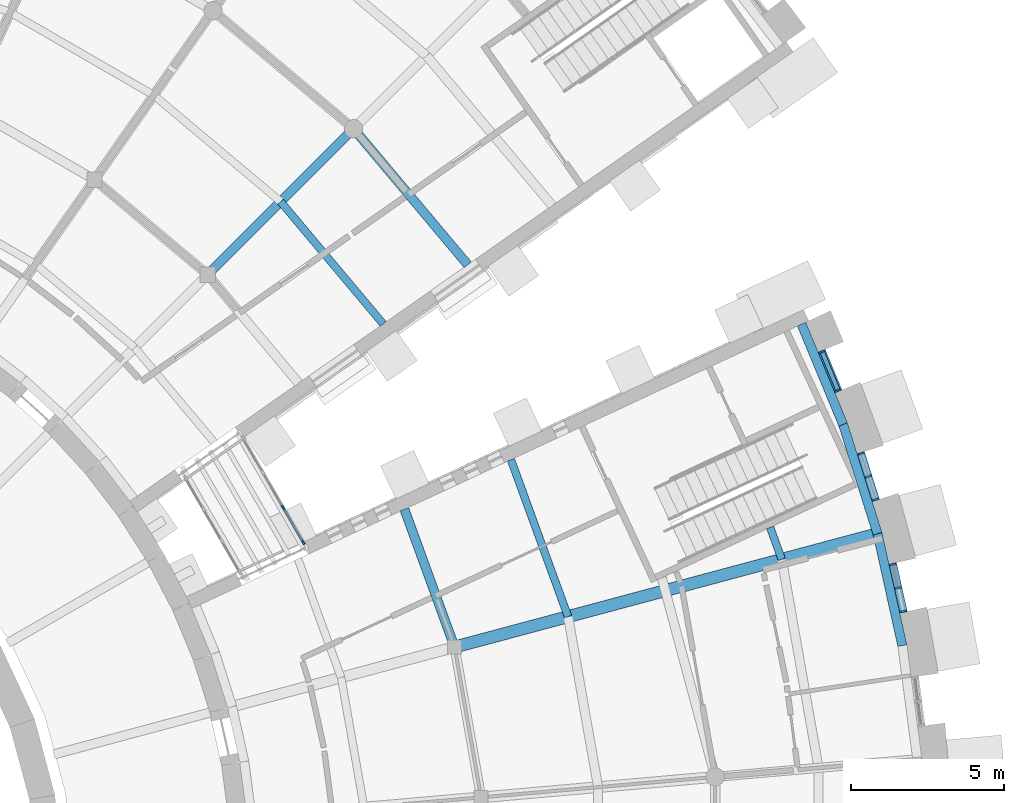
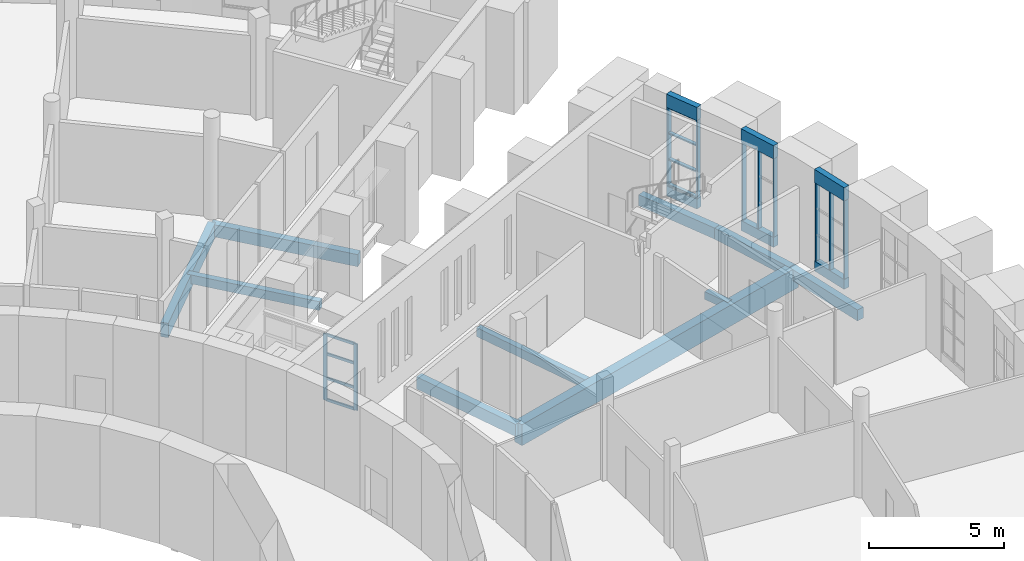
# One storey, part 17 of 66: 18 members, 16 beams, 4 elements without a shape of their own.
"""IFC4 building model written with IfcOpenShell, lengths in metres."""

import ifcopenshell
import ifcopenshell.guid

model = None  # the IFC model being written
_history = None  # IfcOwnerHistory: only IFC2X3 demands one
_inside = {}  # id of a spatial element -> (the spatial element, [elements in it])
_under = {}  # id of a project, library or spatial element -> (it, [spatial elements below it])
_declared = {}  # id of a project -> (the project, [libraries it declares])
_typed = {}  # id of a type object -> (the type object, [elements of that type])
_made_of = {}  # id of a material, layer set ... -> (it, [elements and type objects made of it])


def new_model(schema):
    """Start an empty IFC model of exactly this schema.

    Asked for "IFC4X3", IfcOpenShell would pick the latest addendum, in which some entities
    have other attributes; the version numbers below select the first issue.
    IFC2X3 requires an IfcOwnerHistory on every rooted entity: one is made here for all.
    """
    global model, _history
    if schema == "IFC4X3":
        model = ifcopenshell.file(schema_version=(4, 3, 0, 0))
    else:
        model = ifcopenshell.file(schema=schema)
    _inside.clear()
    _under.clear()
    _declared.clear()
    _typed.clear()
    _made_of.clear()
    _history = None
    if model.schema == "IFC2X3":
        org = make("IfcOrganization", Name="unknown")
        user = make(
            "IfcPersonAndOrganization",
            ThePerson=make("IfcPerson", FamilyName="unknown"),
            TheOrganization=org,
        )
        app = make(
            "IfcApplication",
            ApplicationDeveloper=org,
            Version="unknown",
            ApplicationFullName="unknown",
            ApplicationIdentifier="unknown",
        )
        _history = make(
            "IfcOwnerHistory",
            OwningUser=user,
            OwningApplication=app,
            ChangeAction="ADDED",
            CreationDate=0,
        )
    return model


def make(cls, **values):
    """One entity of the class cls with the attributes given. An attribute that is None is left unset."""
    return model.create_entity(
        cls, **{name: value for name, value in values.items() if value is not None}
    )


def rooted(cls, **values):
    """An entity with a GlobalId (a new one), such as an element, a storey or a relation."""
    return make(cls, GlobalId=ifcopenshell.guid.new(), OwnerHistory=_history, **values)


def si_unit(unit_type, name, prefix=None):
    """IfcSIUnit, for example si_unit("LENGTHUNIT", "METRE", prefix="MILLI")."""
    return make("IfcSIUnit", UnitType=unit_type, Prefix=prefix, Name=name)


def assignment(units):
    """IfcUnitAssignment: the units of a project."""
    return None if units is None else make("IfcUnitAssignment", Units=units)


def point(xyz):
    """IfcCartesianPoint."""
    return None if xyz is None else make("IfcCartesianPoint", Coordinates=xyz)


def direction(xyz):
    """IfcDirection."""
    return None if xyz is None else make("IfcDirection", DirectionRatios=xyz)


def frame(location, z_axis=None, x_axis=None):
    """IfcAxis2Placement3D, a coordinate frame: its origin and axes. An axis left out is left unset."""
    return make(
        "IfcAxis2Placement3D",
        Location=point(location),
        Axis=direction(z_axis),
        RefDirection=direction(x_axis),
    )


def frame_2d(location, x_axis=None):
    """IfcAxis2Placement2D, a coordinate frame in the plane: its origin and x axis."""
    return make(
        "IfcAxis2Placement2D", Location=point(location), RefDirection=direction(x_axis)
    )


def origin():
    """The frame at (0, 0, 0) with its axes left unset."""
    return frame((0.0, 0.0, 0.0))


def origin_2d():
    """The frame at (0, 0) in the plane with its x axis left unset."""
    return frame_2d((0.0, 0.0))


def place(relative_to, where):
    """IfcLocalPlacement: puts the frame where relative to a parent placement (None: the world)."""
    return make(
        "IfcLocalPlacement", PlacementRelTo=relative_to, RelativePlacement=where
    )


def context(
    kind, dimensions, precision=None, world=None, true_north=None, identifier=None
):
    """IfcGeometricRepresentationContext, for example the 3D "Model" context."""
    return make(
        "IfcGeometricRepresentationContext",
        ContextIdentifier=identifier,
        ContextType=kind,
        CoordinateSpaceDimension=dimensions,
        Precision=precision,
        WorldCoordinateSystem=world,
        TrueNorth=true_north,
    )


def subcontext(parent, identifier, kind, view, scale=None):
    """IfcGeometricRepresentationSubContext, for example "Body" below "Model"."""
    return make(
        "IfcGeometricRepresentationSubContext",
        ContextIdentifier=identifier,
        ContextType=kind,
        ParentContext=parent,
        TargetScale=scale,
        TargetView=view,
    )


def project(units=None, contexts=None):
    """IfcProject with its units and contexts."""
    return rooted(
        "IfcProject",
        Name="project",
        RepresentationContexts=contexts,
        UnitsInContext=assignment(units),
    )


def spatial(cls, under=None, at=None, **own):
    """A site, building, storey or space (cls), placed at a placement, below another one or the project."""
    s = rooted(cls, ObjectPlacement=at, **own)
    if under is not None:
        _under.setdefault(under.id(), (under, []))[1].append(s)
    return s


def profile(cls, at=None, kind="AREA", **sizes):
    """A parametric profile (cls). Its sizes go by their IFC names, for example OverallWidth=200.0."""
    return make(cls, ProfileType=kind, Position=at, **sizes)


def rectangle(**sizes):
    """IfcRectangleProfileDef."""
    return profile("IfcRectangleProfileDef", **sizes)


def extrude(swept, where, along, depth):
    """IfcExtrudedAreaSolid: the profile swept, set in the frame where, extruded along a direction by depth."""
    return make(
        "IfcExtrudedAreaSolid",
        SweptArea=swept,
        Position=where,
        ExtrudedDirection=direction(along),
        Depth=depth,
    )


def shape(context_of_items, identifier, shape_type, items):
    """IfcShapeRepresentation: the items that make up one representation, for example the "Body"."""
    return make(
        "IfcShapeRepresentation",
        ContextOfItems=context_of_items,
        RepresentationIdentifier=identifier,
        RepresentationType=shape_type,
        Items=items,
    )


def material(Name=None, Category=None):
    """IfcMaterial."""
    return make("IfcMaterial", Name=Name, Category=Category)


def layer(
    of_material, thickness, ventilated=None, Name=None, Category=None, Priority=None
):
    """IfcMaterialLayer: one layer of a wall or slab, of a material (None: an air gap)."""
    return make(
        "IfcMaterialLayer",
        Material=of_material,
        LayerThickness=thickness,
        IsVentilated=ventilated,
        Name=Name,
        Category=Category,
        Priority=Priority,
    )


def layer_set(layers, Name=None):
    """IfcMaterialLayerSet."""
    return make("IfcMaterialLayerSet", MaterialLayers=layers, LayerSetName=Name)


def material_profile(
    of_material, cross_section, Name=None, Category=None, Priority=None
):
    """IfcMaterialProfile: a cross section and its material."""
    return make(
        "IfcMaterialProfile",
        Name=Name,
        Material=of_material,
        Profile=cross_section,
        Priority=Priority,
        Category=Category,
    )


def profile_set(profiles, Name=None, composite=None):
    """IfcMaterialProfileSet."""
    return make(
        "IfcMaterialProfileSet",
        Name=Name,
        MaterialProfiles=profiles,
        CompositeProfile=composite,
    )


def made_of(thing, what):
    """Note that an element or type object is made of a material, layer set ...; save() writes the relation."""
    if what is not None:
        _made_of.setdefault(what.id(), (what, []))[1].append(thing)
    return thing


def type_object(cls, material=None, **own):
    """A type object (cls), such as IfcWallType, which elements share."""
    return made_of(rooted(cls, **own), material)


def element(
    cls,
    number,
    at=None,
    inside=None,
    cuts=None,
    type_object=None,
    material=None,
    context=None,
    identifier="Body",
    shape_type=None,
    held_by="IfcProductDefinitionShape",
    body=None,
    shapes=None,
    **own,
):
    """One element of the class cls, such as IfcWall. Its Tag is "e" and its number.

    at: its placement. inside: the storey or other place that contains it. cuts: it is an
    opening in that element (IfcRelVoidsElement). A single representation is given by context,
    identifier, shape_type and body (its items); several are given by shapes. held_by: the class
    of the entity that holds the representations. save() writes the other relations.
    """
    e = rooted(cls, Tag="e%d" % number, ObjectPlacement=at, **own)
    if body is not None:
        shapes = [shape(context, identifier, shape_type, body)]
    if shapes is not None:
        e.Representation = make(held_by, Representations=shapes)
    if inside is not None:
        _inside.setdefault(inside.id(), (inside, []))[1].append(e)
    if cuts is not None:
        rooted(
            "IfcRelVoidsElement", RelatingBuildingElement=cuts, RelatedOpeningElement=e
        )
    if type_object is not None:
        _typed.setdefault(type_object.id(), (type_object, []))[1].append(e)
    return made_of(e, material)


def aggregate(whole, parts):
    """IfcRelAggregates: a whole, such as a stair, and the parts it consists of."""
    return rooted("IfcRelAggregates", RelatingObject=whole, RelatedObjects=parts)


def save(model, path):
    """Write the relations noted so far, then the file.

    IfcRelAggregates (storeys below a building ...), IfcRelContainedInSpatialStructure (elements
    in a storey), IfcRelDefinesByType, IfcRelAssociatesMaterial and IfcRelDeclares: one each for
    every whole, place, type object, material and project.
    """
    for whole, parts in _under.values():
        aggregate(whole, parts)
    for where, things in _inside.values():
        rooted(
            "IfcRelContainedInSpatialStructure",
            RelatedElements=things,
            RelatingStructure=where,
        )
    for kind, things in _typed.values():
        rooted("IfcRelDefinesByType", RelatedObjects=things, RelatingType=kind)
    for what, things in _made_of.values():
        rooted("IfcRelAssociatesMaterial", RelatedObjects=things, RelatingMaterial=what)
    for by, libraries in _declared.values():
        rooted("IfcRelDeclares", RelatingContext=by, RelatedDefinitions=libraries)
    model.write(path)


model = new_model("IFC4")

# Units and contexts
model_context = context("Model", 3, precision=1e-05, world=origin(), true_north=direction((0.0, 1.0)))
body_context = subcontext(model_context, "Body", "Model", "MODEL_VIEW")
ifc_project = project(units=[si_unit("LENGTHUNIT", "METRE"), si_unit("AREAUNIT", "SQUARE_METRE"), si_unit("VOLUMEUNIT", "CUBIC_METRE"), si_unit("PLANEANGLEUNIT", "RADIAN"), si_unit("MASSUNIT", "GRAM", prefix="KILO")], contexts=[model_context])

# Site, building, storey
site_placement = place(None, origin())
site = spatial("IfcSite", under=ifc_project, at=site_placement, CompositionType="ELEMENT")
building_placement = place(site_placement, origin())
building = spatial("IfcBuilding", under=site, at=building_placement, Name="Volute Hill Aquarium", CompositionType="ELEMENT")
storey_placement = place(building_placement, frame((0.0, 0.0, 4.60009765625)))
storey = spatial("IfcBuildingStorey", under=building, at=storey_placement, Name="L02", CompositionType="ELEMENT", Elevation=4.60009765625)

# Beams
ifc_material_1 = material(Name="Concrete C35/45", Category="concrete")
ifc_material_profile_1 = material_profile(ifc_material_1, rectangle(XDim=0.300048828125, YDim=0.550048828125, at=origin_2d()), Name="RC beam 300x550")
ifc_profile_set_1 = profile_set([ifc_material_profile_1], Name="Concrete C35/45")
beam_type_1 = type_object("IfcBeamType", Name="Beam 300x550 C35/45", PredefinedType="BEAM", material=ifc_profile_set_1)
beam_1_placement = place(storey_placement, frame((27.72216796875, 7.427978515625, -0.51513671875), z_axis=(-0.342053281392, 0.939680558854, 0.0), x_axis=(-0.939680558854, -0.342053281392, 0.0)))
element("IfcBeam", 1, at=beam_1_placement, inside=storey, type_object=beam_type_1, Name="bm/S4/L02/ring1.15", PredefinedType="BEAM", context=body_context, shape_type="SweptSolid", body=[
    extrude(rectangle(XDim=0.300048828125, YDim=0.550048828125, at=origin_2d()), origin(), (0.0, 0.0, 1.0), 4.802001953125),
])
beam_2_placement = place(storey_placement, frame((28.152099609375, 19.95654296875, -0.565185546875), z_axis=(-0.642785502321, 0.766046211404, 0.0), x_axis=(-0.766046211404, -0.642785502321, 0.0)))
element("IfcBeam", 2, at=beam_2_placement, inside=storey, type_object=beam_type_1, Name="bm/S5/L02/ring2.22", PredefinedType="BEAM", context=body_context, shape_type="SweptSolid", body=[
    extrude(rectangle(XDim=0.300048828125, YDim=0.550048828125, at=origin_2d()), origin(), (0.0, 0.0, 1.0), 5.8173828125),
])
ifc_material_2 = material(Name="Concrete C35/45", Category="concrete")
ifc_material_profile_2 = material_profile(ifc_material_2, rectangle(XDim=0.300048828125, YDim=0.64990234375, at=origin_2d()), Name="RC beam 300x650")
ifc_profile_set_2 = profile_set([ifc_material_profile_2], Name="Concrete C35/45")
beam_type_2 = type_object("IfcBeamType", Name="Beam 300x650 C35/45", PredefinedType="BEAM", material=ifc_profile_set_2)
beam_3_placement = place(storey_placement, frame((19.631103515625, 19.631103515625, -0.614990234375), z_axis=(0.707106781187, 0.707106781187, 0.0), x_axis=(-0.707106781187, 0.707106781187, 0.0)))
element("IfcBeam", 3, at=beam_3_placement, inside=storey, type_object=beam_type_2, Name="bm/S5/L02/rad1.2", PredefinedType="BEAM", context=body_context, shape_type="SweptSolid", body=[
    extrude(rectangle(XDim=0.300048828125, YDim=0.64990234375, at=origin_2d()), origin(), (0.0, 0.0, 1.0), 6.762451171875),
])
ifc_material_3 = material(Name="Concrete C35/45", Category="concrete")
ifc_material_profile_3 = material_profile(ifc_material_3, rectangle(XDim=0.39990234375, YDim=0.949951171875, at=origin_2d()), Name="RC beam 400x950")
ifc_profile_set_3 = profile_set([ifc_material_profile_3], Name="Concrete C35/45")
beam_type_3 = type_object("IfcBeamType", Name="Beam 400x950 C35/45", PredefinedType="BEAM", material=ifc_profile_set_3)
beam_4_placement = place(storey_placement, frame((27.72216796875, 7.427978515625, -0.715087890625), z_axis=(0.965924602504, 0.258823612287, 0.0), x_axis=(-0.258823612287, 0.965924602504, 0.0)))
element("IfcBeam", 4, at=beam_4_placement, inside=storey, type_object=beam_type_3, Name="bm/S4/L02/rad4.10", PredefinedType="BEAM", context=body_context, shape_type="SweptSolid", body=[
    extrude(rectangle(XDim=0.39990234375, YDim=0.949951171875, at=origin_2d()), origin(), (0.0, 0.0, 1.0), 14.5),
])

# Curtain wall, members
ifc_material_4 = material(Name="Aluminium and glass", Category="aluminium")
ifc_layer_1 = layer(ifc_material_4, 0.1201171875)
ifc_layer_set_1 = layer_set([ifc_layer_1], Name="Bridge curtain wall")
curtain_wall_type_1 = type_object("IfcCurtainWallType", Name="Bridge curtain wall", PredefinedType="NOTDEFINED", material=ifc_layer_set_1)
curtain_wall_1_placement = place(storey_placement, origin())
curtain_wall_1 = element("IfcCurtainWall", 5, at=curtain_wall_1_placement, inside=storey, type_object=curtain_wall_type_1, Name="br/SC5/L02/cwb", PredefinedType="NOTDEFINED")
ifc_material_5 = material(Name="Aluminium", Category="aluminium")
ifc_material_profile_4 = material_profile(ifc_material_5, rectangle(XDim=0.06005859375, YDim=0.159912109375, at=origin_2d()), Name="Aluminium mullion 60x160")
ifc_profile_set_4 = profile_set([ifc_material_profile_4], Name="Aluminium")
member_type_1 = type_object("IfcMemberType", Name="Bridge mullion 60x160", PredefinedType="MULLION", material=ifc_profile_set_4)
member_1_placement = place(storey_placement, frame((22.756103515625, 10.864990234375, 0.0), z_axis=(0.0, 0.0, 1.0), x_axis=(-0.866022279881, -0.50000541072, 0.0)))
member_1 = element("IfcMember", 6, at=member_1_placement, type_object=member_type_1, Name="BR5 mullion 1", PredefinedType="MULLION", context=body_context, shape_type="SweptSolid", body=[
    extrude(rectangle(XDim=0.06005859375, YDim=0.159912109375, at=origin_2d()), origin(), (0.0, 0.0, 1.0), 3.0),
])
member_2_placement = place(storey_placement, frame((22.10498046875, 11.992919921875, 0.0), z_axis=(0.0, 0.0, 1.0), x_axis=(-0.866022279881, -0.50000541072, 0.0)))
member_2 = element("IfcMember", 7, at=member_2_placement, type_object=member_type_1, Name="BR5 mullion 2", PredefinedType="MULLION", context=body_context, shape_type="SweptSolid", body=[
    extrude(rectangle(XDim=0.06005859375, YDim=0.159912109375, at=origin_2d()), origin(), (0.0, 0.0, 1.0), 3.0),
])
ifc_material_6 = material(Name="Aluminium", Category="aluminium")
ifc_material_profile_5 = material_profile(ifc_material_6, rectangle(XDim=0.06005859375, YDim=0.1201171875, at=origin_2d()), Name="Aluminium transom 60x120")
ifc_profile_set_5 = profile_set([ifc_material_profile_5], Name="Aluminium")
member_type_2 = type_object("IfcMemberType", Name="Bridge transom 60x120", PredefinedType="USERDEFINED", material=ifc_profile_set_5)
member_3_placement = place(storey_placement, frame((22.7412109375, 10.89111328125, 0.02978515625), z_axis=(-0.500090980937, 0.865972869544, 0.0), x_axis=(-0.865972869544, -0.500090980937, 0.0)))
member_3 = element("IfcMember", 8, at=member_3_placement, type_object=member_type_2, Name="BR5 transom 1.1", ObjectType="TRANSOM", PredefinedType="USERDEFINED", context=body_context, shape_type="SweptSolid", body=[
    extrude(rectangle(XDim=0.06005859375, YDim=0.1201171875, at=origin_2d()), origin(), (0.0, 0.0, 1.0), 1.242431640625),
])
member_4_placement = place(storey_placement, frame((22.7412109375, 10.89111328125, 1.0), z_axis=(-0.500090980937, 0.865972869544, 0.0), x_axis=(-0.865972869544, -0.500090980937, 0.0)))
member_4 = element("IfcMember", 9, at=member_4_placement, type_object=member_type_2, Name="BR5 transom 1.2", ObjectType="TRANSOM", PredefinedType="USERDEFINED", context=body_context, shape_type="SweptSolid", body=[
    extrude(rectangle(XDim=0.06005859375, YDim=0.1201171875, at=origin_2d()), origin(), (0.0, 0.0, 1.0), 1.242431640625),
])
member_5_placement = place(storey_placement, frame((22.7412109375, 10.89111328125, 2.099853515625), z_axis=(-0.500090980937, 0.865972869544, 0.0), x_axis=(-0.865972869544, -0.500090980937, 0.0)))
member_5 = element("IfcMember", 10, at=member_5_placement, type_object=member_type_2, Name="BR5 transom 1.3", ObjectType="TRANSOM", PredefinedType="USERDEFINED", context=body_context, shape_type="SweptSolid", body=[
    extrude(rectangle(XDim=0.06005859375, YDim=0.1201171875, at=origin_2d()), origin(), (0.0, 0.0, 1.0), 1.242431640625),
])
member_6_placement = place(storey_placement, frame((22.7412109375, 10.89111328125, 2.969970703125), z_axis=(-0.500090980937, 0.865972869544, 0.0), x_axis=(-0.865972869544, -0.500090980937, 0.0)))
member_6 = element("IfcMember", 11, at=member_6_placement, type_object=member_type_2, Name="BR5 transom 1.4", ObjectType="TRANSOM", PredefinedType="USERDEFINED", context=body_context, shape_type="SweptSolid", body=[
    extrude(rectangle(XDim=0.06005859375, YDim=0.1201171875, at=origin_2d()), origin(), (0.0, 0.0, 1.0), 1.242431640625),
])
aggregate(curtain_wall_1, [member_1, member_2, member_3, member_4, member_5, member_6])

ifc_material_7 = material(Name="Aluminium", Category="aluminium")
ifc_layer_2 = layer(ifc_material_7, 0.25)
ifc_layer_set_2 = layer_set([ifc_layer_2], Name="Curtain wall niche S4 module 819")
curtain_wall_type_2 = type_object("IfcCurtainWallType", Name="Curtain wall niche S4 module 819", PredefinedType="NOTDEFINED", material=ifc_layer_set_2)
curtain_wall_2_placement = place(storey_placement, origin())
curtain_wall_2 = element("IfcCurtainWall", 12, at=curtain_wall_2_placement, inside=storey, type_object=curtain_wall_type_2, Name="Curtain wall CW S4 L02 8", PredefinedType="NOTDEFINED")
ifc_material_8 = material(Name="Aluminium", Category="aluminium")
ifc_material_profile_6 = material_profile(ifc_material_8, rectangle(XDim=0.199951171875, YDim=0.06005859375, at=origin_2d()), Name="Curtain wall mullion S4 60x200")
ifc_profile_set_6 = profile_set([ifc_material_profile_6], Name="Aluminium")
member_type_3 = type_object("IfcMemberType", Name="Curtain wall mullion S4 60x200", PredefinedType="MULLION", material=ifc_profile_set_6)
member_7_placement = place(storey_placement, frame((42.42822265625, 8.59814453125, 0.449951171875), z_axis=(0.0, 0.0, 1.0), x_axis=(-0.976296719673, -0.216436399795, 0.0)))
member_7 = element("IfcMember", 13, at=member_7_placement, type_object=member_type_3, Name="CW mullion 1", PredefinedType="MULLION", context=body_context, shape_type="SweptSolid", body=[
    extrude(rectangle(XDim=0.199951171875, YDim=0.06005859375, at=origin_2d()), origin(), (0.0, 0.0, 1.0), 3.550048828125),
])
member_8_placement = place(storey_placement, frame((42.257568359375, 9.3681640625, 0.449951171875), z_axis=(0.0, 0.0, 1.0), x_axis=(-0.976296719673, -0.216436399795, 0.0)))
member_8 = element("IfcMember", 14, at=member_8_placement, type_object=member_type_3, Name="CW mullion 2", PredefinedType="MULLION", context=body_context, shape_type="SweptSolid", body=[
    extrude(rectangle(XDim=0.199951171875, YDim=0.06005859375, at=origin_2d()), origin(), (0.0, 0.0, 1.0), 3.550048828125),
])
member_9_placement = place(storey_placement, frame((42.0869140625, 10.13818359375, 0.449951171875), z_axis=(0.0, 0.0, 1.0), x_axis=(-0.976296719673, -0.216436399795, 0.0)))
member_9 = element("IfcMember", 15, at=member_9_placement, type_object=member_type_3, Name="CW mullion 3", PredefinedType="MULLION", context=body_context, shape_type="SweptSolid", body=[
    extrude(rectangle(XDim=0.199951171875, YDim=0.06005859375, at=origin_2d()), origin(), (0.0, 0.0, 1.0), 3.550048828125),
])
aggregate(curtain_wall_2, [member_7, member_8, member_9])

curtain_wall_3_placement = place(storey_placement, origin())
curtain_wall_3 = element("IfcCurtainWall", 16, at=curtain_wall_3_placement, inside=storey, type_object=curtain_wall_type_2, Name="Curtain wall CW S4 L02 9", PredefinedType="NOTDEFINED")
member_10_placement = place(storey_placement, frame((41.517333984375, 12.263427734375, 0.449951171875), z_axis=(0.0, 0.0, 1.0), x_axis=(-0.953715759869, -0.300709576466, 0.0)))
member_10 = element("IfcMember", 17, at=member_10_placement, type_object=member_type_3, Name="CW mullion 1", PredefinedType="MULLION", context=body_context, shape_type="SweptSolid", body=[
    extrude(rectangle(XDim=0.199951171875, YDim=0.06005859375, at=origin_2d()), origin(), (0.0, 0.0, 1.0), 3.550048828125),
])
member_11_placement = place(storey_placement, frame((41.2802734375, 13.015625, 0.449951171875), z_axis=(0.0, 0.0, 1.0), x_axis=(-0.953715759869, -0.300709576466, 0.0)))
member_11 = element("IfcMember", 18, at=member_11_placement, type_object=member_type_3, Name="CW mullion 2", PredefinedType="MULLION", context=body_context, shape_type="SweptSolid", body=[
    extrude(rectangle(XDim=0.199951171875, YDim=0.06005859375, at=origin_2d()), origin(), (0.0, 0.0, 1.0), 3.550048828125),
])
member_12_placement = place(storey_placement, frame((41.04296875, 13.767822265625, 0.449951171875), z_axis=(0.0, 0.0, 1.0), x_axis=(-0.953715759869, -0.300709576466, 0.0)))
member_12 = element("IfcMember", 19, at=member_12_placement, type_object=member_type_3, Name="CW mullion 3", PredefinedType="MULLION", context=body_context, shape_type="SweptSolid", body=[
    extrude(rectangle(XDim=0.199951171875, YDim=0.06005859375, at=origin_2d()), origin(), (0.0, 0.0, 1.0), 3.550048828125),
])
aggregate(curtain_wall_3, [member_10, member_11, member_12])

ifc_material_9 = material(Name="Aluminium", Category="aluminium")
ifc_layer_3 = layer(ifc_material_9, 0.25)
ifc_layer_set_3 = layer_set([ifc_layer_3], Name="Curtain wall niche S4 module 1437")
curtain_wall_type_3 = type_object("IfcCurtainWallType", Name="Curtain wall niche S4 module 1437", PredefinedType="NOTDEFINED", material=ifc_layer_set_3)
curtain_wall_4_placement = place(storey_placement, origin())
curtain_wall_4 = element("IfcCurtainWall", 20, at=curtain_wall_4_placement, inside=storey, type_object=curtain_wall_type_3, Name="Curtain wall CW S4 L02 10", PredefinedType="NOTDEFINED")
member_13_placement = place(storey_placement, frame((40.29052734375, 15.835205078125, 0.449951171875), z_axis=(0.0, 0.0, 1.0), x_axis=(-0.923873852375, -0.38269714514, 0.0)))
member_13 = element("IfcMember", 21, at=member_13_placement, type_object=member_type_3, Name="CW mullion 1", PredefinedType="MULLION", context=body_context, shape_type="SweptSolid", body=[
    extrude(rectangle(XDim=0.199951171875, YDim=0.06005859375, at=origin_2d()), origin(), (0.0, 0.0, 1.0), 3.550048828125),
])
member_14_placement = place(storey_placement, frame((39.763427734375, 17.107666015625, 0.449951171875), z_axis=(0.0, 0.0, 1.0), x_axis=(-0.923873852375, -0.38269714514, 0.0)))
member_14 = element("IfcMember", 22, at=member_14_placement, type_object=member_type_3, Name="CW mullion 2", PredefinedType="MULLION", context=body_context, shape_type="SweptSolid", body=[
    extrude(rectangle(XDim=0.199951171875, YDim=0.06005859375, at=origin_2d()), origin(), (0.0, 0.0, 1.0), 3.550048828125),
])
ifc_material_10 = material(Name="Aluminium", Category="aluminium")
ifc_material_profile_7 = material_profile(ifc_material_10, rectangle(XDim=0.14990234375, YDim=0.06005859375, at=origin_2d()), Name="Curtain wall transom S4 60x150")
ifc_profile_set_7 = profile_set([ifc_material_profile_7], Name="Aluminium")
member_type_4 = type_object("IfcMemberType", Name="Curtain wall transom S4 60x150", PredefinedType="USERDEFINED", material=ifc_profile_set_7)
member_15_placement = place(storey_placement, frame((40.279052734375, 15.86279296875, 0.47998046875), z_axis=(-0.3827064316, 0.923870005581, 0.0), x_axis=(-0.923870005581, -0.3827064316, 0.0)))
member_15 = element("IfcMember", 23, at=member_15_placement, type_object=member_type_4, Name="CW transom 1.1", ObjectType="TRANSOM", PredefinedType="USERDEFINED", context=body_context, shape_type="SweptSolid", body=[
    extrude(rectangle(XDim=0.14990234375, YDim=0.06005859375, at=origin_2d()), origin(), (0.0, 0.0, 1.0), 1.3173828125),
])
member_16_placement = place(storey_placement, frame((40.279052734375, 15.86279296875, 1.63330078125), z_axis=(-0.3827064316, 0.923870005581, 0.0), x_axis=(-0.923870005581, -0.3827064316, 0.0)))
member_16 = element("IfcMember", 24, at=member_16_placement, type_object=member_type_4, Name="CW transom 1.2", ObjectType="TRANSOM", PredefinedType="USERDEFINED", context=body_context, shape_type="SweptSolid", body=[
    extrude(rectangle(XDim=0.14990234375, YDim=0.06005859375, at=origin_2d()), origin(), (0.0, 0.0, 1.0), 1.3173828125),
])
member_17_placement = place(storey_placement, frame((40.279052734375, 15.86279296875, 2.816650390625), z_axis=(-0.3827064316, 0.923870005581, 0.0), x_axis=(-0.923870005581, -0.3827064316, 0.0)))
member_17 = element("IfcMember", 25, at=member_17_placement, type_object=member_type_4, Name="CW transom 1.3", ObjectType="TRANSOM", PredefinedType="USERDEFINED", context=body_context, shape_type="SweptSolid", body=[
    extrude(rectangle(XDim=0.14990234375, YDim=0.06005859375, at=origin_2d()), origin(), (0.0, 0.0, 1.0), 1.3173828125),
])
member_18_placement = place(storey_placement, frame((40.279052734375, 15.86279296875, 3.969970703125), z_axis=(-0.3827064316, 0.923870005581, 0.0), x_axis=(-0.923870005581, -0.3827064316, 0.0)))
member_18 = element("IfcMember", 26, at=member_18_placement, type_object=member_type_4, Name="CW transom 1.4", ObjectType="TRANSOM", PredefinedType="USERDEFINED", context=body_context, shape_type="SweptSolid", body=[
    extrude(rectangle(XDim=0.14990234375, YDim=0.06005859375, at=origin_2d()), origin(), (0.0, 0.0, 1.0), 1.3173828125),
])
aggregate(curtain_wall_4, [member_13, member_14, member_15, member_16, member_17, member_18])

# Beams
ifc_material_11 = material(Name="Concrete C35/45", Category="concrete")
ifc_material_profile_8 = material_profile(ifc_material_11, rectangle(XDim=0.300048828125, YDim=0.5, at=origin_2d()), Name="RC edge beam 300x500")
ifc_profile_set_8 = profile_set([ifc_material_profile_8], Name="Concrete C35/45")
beam_type_4 = type_object("IfcBeamType", Name="Edge beam 300x500 C35/45", PredefinedType="BEAM", material=ifc_profile_set_8)
for number, where, z_axis, x_axis, name in (
    (27, (42.395751953125, 7.4755859375, -0.489990234375), (-0.216414181403, 0.97630164503, 0.0), (-0.97630164503, -0.216414181403, 0.0), "bm/S4/L02/edgeO.36"),
    (28, (41.5830078125, 11.14208984375, -0.489990234375), (-0.300720668407, 0.953712262474, 0.0), (-0.953712262474, -0.300720668407, 0.0), "bm/S4/L02/edgeO.37"),
):
    element("IfcBeam", number, at=place(storey_placement, frame(where, z_axis=z_axis, x_axis=x_axis)), inside=storey, type_object=beam_type_4, Name=name, PredefinedType="BEAM", context=body_context, shape_type="SweptSolid", body=[
        extrude(rectangle(XDim=0.300048828125, YDim=0.5, at=origin_2d()), origin(), (0.0, 0.0, 1.0), 3.755615234375),
    ])
beam_5_placement = place(storey_placement, frame((40.45361328125, 14.723876953125, -0.489990234375), z_axis=(-0.382669162072, 0.923885443331, 0.0), x_axis=(-0.923885443331, -0.382669162072, 0.0)))
element("IfcBeam", 29, at=beam_5_placement, inside=storey, type_object=beam_type_4, Name="bm/S4/L02/edgeO.38", PredefinedType="BEAM", context=body_context, shape_type="SweptSolid", body=[
    extrude(rectangle(XDim=0.300048828125, YDim=0.5, at=origin_2d()), origin(), (0.0, 0.0, 1.0), 3.555419921875),
])
ifc_material_12 = material(Name="Concrete C35/45", Category="concrete")
ifc_material_profile_9 = material_profile(ifc_material_12, rectangle(XDim=0.25, YDim=0.35009765625, at=origin_2d()), Name="RC joist 250x350")
ifc_profile_set_9 = profile_set([ifc_material_profile_9], Name="Concrete C35/45")
beam_type_5 = type_object("IfcBeamType", Name="Joist 250x350 C35/45", PredefinedType="BEAM", material=ifc_profile_set_9)
beam_6_placement = place(storey_placement, frame((38.44384765625, 10.301025390625, -0.4150390625), z_axis=(-0.342112100043, 0.939659146182, 0.0), x_axis=(-0.939659146182, -0.342112100043, 0.0)))
element("IfcBeam", 30, at=beam_6_placement, inside=storey, type_object=beam_type_5, Name="bm/S4/L02/jst15", PredefinedType="BEAM", context=body_context, shape_type="SweptSolid", body=[
    extrude(rectangle(XDim=0.25, YDim=0.35009765625, at=origin_2d()), origin(), (0.0, 0.0, 1.0), 1.115478515625),
])
ifc_material_13 = material(Name="Concrete C35/45", Category="concrete")
ifc_material_profile_10 = material_profile(ifc_material_13, rectangle(XDim=0.25, YDim=0.39990234375, at=origin_2d()), Name="RC joist 250x400")
ifc_profile_set_10 = profile_set([ifc_material_profile_10], Name="Concrete C35/45")
beam_type_6 = type_object("IfcBeamType", Name="Joist 250x400 C35/45", PredefinedType="BEAM", material=ifc_profile_set_10)
beam_7_placement = place(storey_placement, frame((31.44091796875, 8.424560546875, -0.440185546875), z_axis=(-0.342004507506, 0.939698311611, 0.0), x_axis=(-0.939698311611, -0.342004507506, 0.0)))
element("IfcBeam", 31, at=beam_7_placement, inside=storey, type_object=beam_type_6, Name="bm/S4/L02/jst10", PredefinedType="BEAM", context=body_context, shape_type="SweptSolid", body=[
    extrude(rectangle(XDim=0.25, YDim=0.39990234375, at=origin_2d()), origin(), (0.0, 0.0, 1.0), 5.47314453125),
])
beam_8_placement = place(storey_placement, frame((25.38232421875, 18.01708984375, -0.489990234375), z_axis=(-0.642771431377, 0.766058018041, 0.0), x_axis=(-0.766058018041, -0.642771431377, 0.0)))
element("IfcBeam", 32, at=beam_8_placement, inside=storey, type_object=beam_type_6, Name="bm/S5/L02/jst6", PredefinedType="BEAM", context=body_context, shape_type="SweptSolid", body=[
    extrude(rectangle(XDim=0.25, YDim=0.39990234375, at=origin_2d()), origin(), (0.0, 0.0, 1.0), 5.22802734375),
])
ifc_material_14 = material(Name="Concrete C35/45", Category="concrete")
ifc_material_profile_11 = material_profile(ifc_material_14, rectangle(XDim=0.25, YDim=0.60009765625, at=origin_2d()), Name="RC beam 250x600")
ifc_profile_set_11 = profile_set([ifc_material_profile_11], Name="Concrete C35/45")
beam_type_7 = type_object("IfcBeamType", Name="Niche head beam RC 250x600 C35/45", PredefinedType="BEAM", material=ifc_profile_set_11)
beam_9_placement = place(storey_placement, frame((42.434814453125, 8.56884765625, 4.2998046875), z_axis=(-0.216488407717, 0.97628518852, 0.0), x_axis=(-0.97628518852, -0.216488407717, 0.0)))
element("IfcBeam", 33, at=beam_9_placement, inside=storey, type_object=beam_type_7, Name="Niche head beam OWB S4 L02 8", PredefinedType="BEAM", context=body_context, shape_type="SweptSolid", body=[
    extrude(rectangle(XDim=0.25, YDim=0.60009765625, at=origin_2d()), origin(), (0.0, 0.0, 1.0), 1.637451171875),
])
beam_10_placement = place(storey_placement, frame((41.5263671875, 12.23486328125, 4.2998046875), z_axis=(-0.300753125362, 0.953702027672, 0.0), x_axis=(-0.953702027672, -0.300753125362, 0.0)))
element("IfcBeam", 34, at=beam_10_placement, inside=storey, type_object=beam_type_7, Name="Niche head beam OWB S4 L02 9", PredefinedType="BEAM", context=body_context, shape_type="SweptSolid", body=[
    extrude(rectangle(XDim=0.25, YDim=0.60009765625, at=origin_2d()), origin(), (0.0, 0.0, 1.0), 1.63720703125),
])
beam_11_placement = place(storey_placement, frame((40.302001953125, 15.807373046875, 4.2998046875), z_axis=(-0.382696833945, 0.923873981281, 0.0), x_axis=(-0.923873981281, -0.382696833945, 0.0)))
element("IfcBeam", 35, at=beam_11_placement, inside=storey, type_object=beam_type_7, Name="Niche head beam OWB S4 L02 10", PredefinedType="BEAM", context=body_context, shape_type="SweptSolid", body=[
    extrude(rectangle(XDim=0.25, YDim=0.60009765625, at=origin_2d()), origin(), (0.0, 0.0, 1.0), 1.437255859375),
])
ifc_material_15 = material(Name="Concrete C35/45", Category="concrete")
ifc_material_profile_12 = material_profile(ifc_material_15, rectangle(XDim=0.25, YDim=0.449951171875, at=origin_2d()), Name="RC beam 250x450")
ifc_profile_set_12 = profile_set([ifc_material_profile_12], Name="Concrete C35/45")
beam_type_8 = type_object("IfcBeamType", Name="Niche sill beam RC 250x450 C35/45", PredefinedType="BEAM", material=ifc_profile_set_12)
beam_12_placement = place(storey_placement, frame((42.434814453125, 8.56884765625, 0.224853515625), z_axis=(-0.216488407717, 0.97628518852, 0.0), x_axis=(-0.97628518852, -0.216488407717, 0.0)))
element("IfcBeam", 36, at=beam_12_placement, inside=storey, type_object=beam_type_8, Name="Niche sill beam OWB S4 L02 8", PredefinedType="BEAM", context=body_context, shape_type="SweptSolid", body=[
    extrude(rectangle(XDim=0.25, YDim=0.449951171875, at=origin_2d()), origin(), (0.0, 0.0, 1.0), 1.637451171875),
])
beam_13_placement = place(storey_placement, frame((41.5263671875, 12.23486328125, 0.224853515625), z_axis=(-0.300753125362, 0.953702027672, 0.0), x_axis=(-0.953702027672, -0.300753125362, 0.0)))
element("IfcBeam", 37, at=beam_13_placement, inside=storey, type_object=beam_type_8, Name="Niche sill beam OWB S4 L02 9", PredefinedType="BEAM", context=body_context, shape_type="SweptSolid", body=[
    extrude(rectangle(XDim=0.25, YDim=0.449951171875, at=origin_2d()), origin(), (0.0, 0.0, 1.0), 1.63720703125),
])
beam_14_placement = place(storey_placement, frame((40.302001953125, 15.807373046875, 0.224853515625), z_axis=(-0.382696833945, 0.923873981281, 0.0), x_axis=(-0.923873981281, -0.382696833945, 0.0)))
element("IfcBeam", 38, at=beam_14_placement, inside=storey, type_object=beam_type_8, Name="Niche sill beam OWB S4 L02 10", PredefinedType="BEAM", context=body_context, shape_type="SweptSolid", body=[
    extrude(rectangle(XDim=0.25, YDim=0.449951171875, at=origin_2d()), origin(), (0.0, 0.0, 1.0), 1.437255859375),
])

save(model, "model.ifc")
